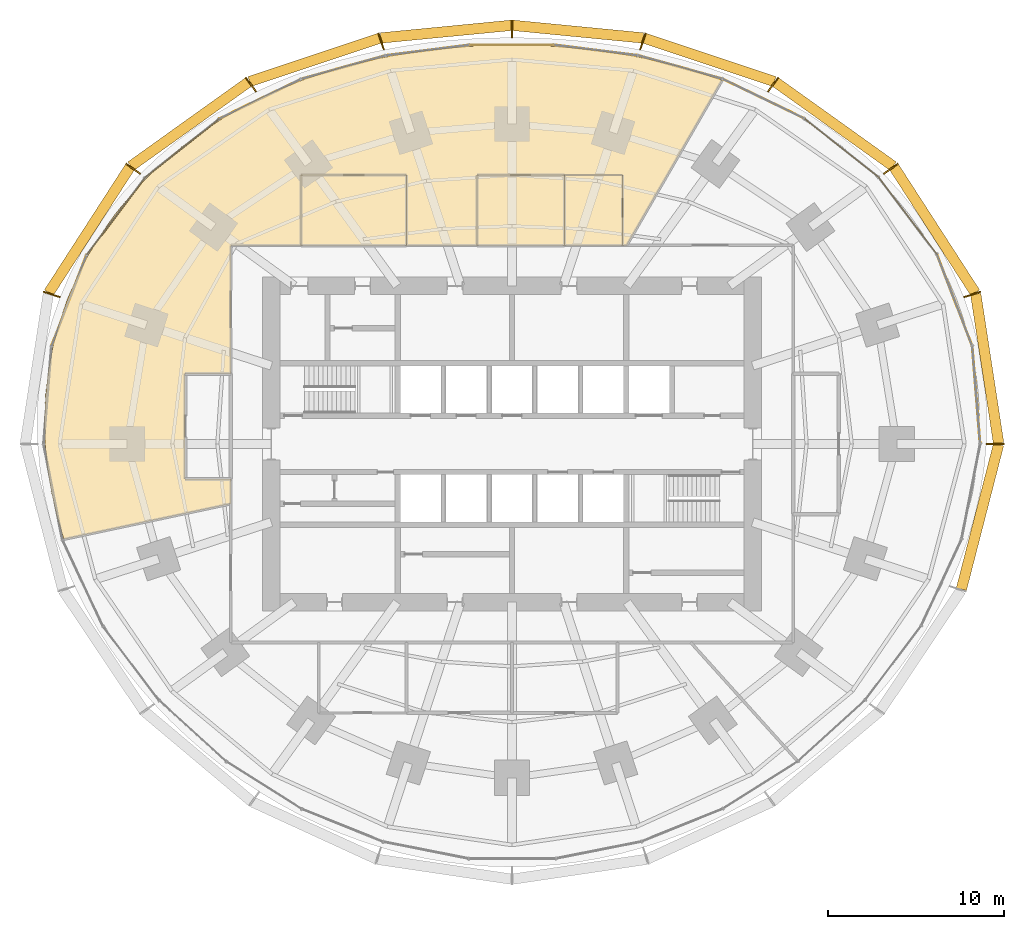
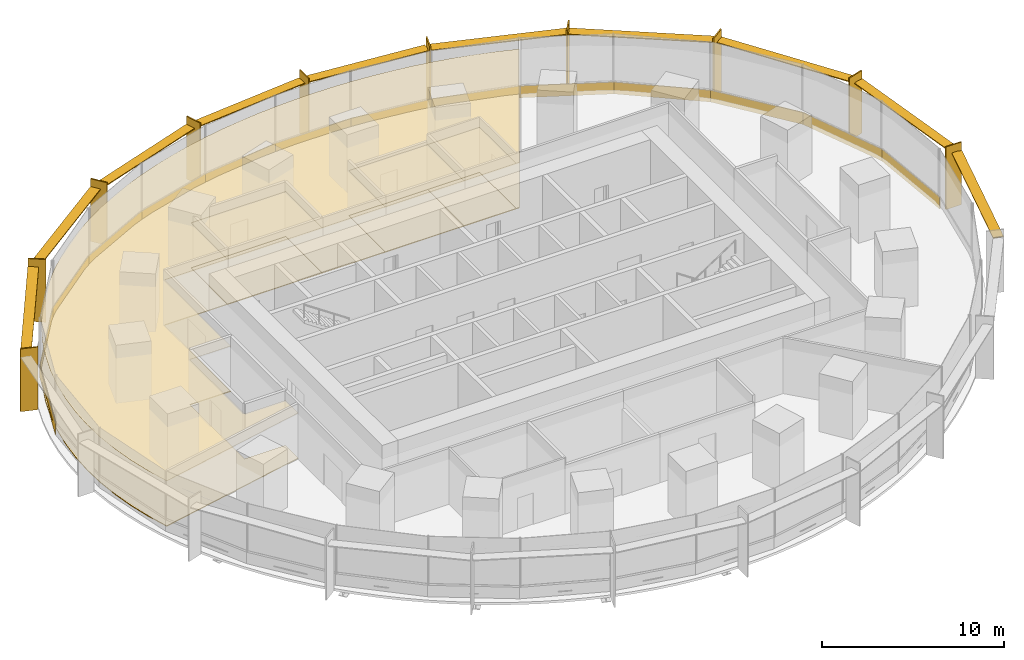
# One storey, part 15 of 15: 22 coverings, 20 shading devices.
"""IFC4 building model written with IfcOpenShell, lengths in metres."""

from ifc_helpers import new_model, si_unit, direction, frame, origin, origin_2d, place, context, subcontext, project, spatial, polyline, rectangle, outline, extrude, material, layer, layer_set, type_object, element, save


model = new_model("IFC4")

# Units and contexts
model_context = context("Model", 3, precision=1e-05, world=origin(), true_north=direction((0.0, 1.0)))
body_context = subcontext(model_context, "Body", "Model", "MODEL_VIEW")
ifc_project = project(units=[si_unit("LENGTHUNIT", "METRE"), si_unit("AREAUNIT", "SQUARE_METRE"), si_unit("VOLUMEUNIT", "CUBIC_METRE"), si_unit("PLANEANGLEUNIT", "RADIAN"), si_unit("MASSUNIT", "GRAM", prefix="KILO")], contexts=[model_context])

# Site, building, storey
site_placement = place(None, origin())
site = spatial("IfcSite", under=ifc_project, at=site_placement, CompositionType="ELEMENT")
building_placement = place(site_placement, origin())
building = spatial("IfcBuilding", under=site, at=building_placement, Name="Marramba Exchange Tower", CompositionType="ELEMENT")
storey_placement = place(building_placement, frame((0.0, 0.0, 49.0)))
storey = spatial("IfcBuildingStorey", under=building, at=storey_placement, Name="L11", CompositionType="ELEMENT", Elevation=49.0)

# Shading devices
ifc_material_1 = material(Name="Aluminium blade, timber-look bronze finish", Category="wood")
ifc_layer_1 = layer(ifc_material_1, 0.080078125)
ifc_layer_set_1 = layer_set([ifc_layer_1], Name="Floor-edge blade 1000x80")
shading_device_type_1 = type_object("IfcShadingDeviceType", Name="Floor-edge blade 1000x80", PredefinedType="USERDEFINED", material=ifc_layer_set_1)
for number, where, z_axis, x_axis, name in (
    (1, (27.5, 0.0, -0.16015625), (0.0, 0.0, 1.0), (1.0, 0.0, 0.0), "Floor-edge blade FB1 L11 TC01"),
    (2, (26.193115234375, 8.5107421875, -0.16015625), (0.0, 0.0, 1.0), (0.951056516295, 0.309016994375, 0.0), "Floor-edge blade FB1 L11 TC02"),
    (3, (21.56298828125, 15.66650390625, -0.16015625), (0.0, 0.0, 1.0), (0.809016994375, 0.587785252292, 0.0), "Floor-edge blade FB1 L11 TC03"),
    (4, (14.857666015625, 20.449951171875, -0.16015625), (0.0, 0.0, 1.0), (0.587785252292, 0.809016994375, 0.0), "Floor-edge blade FB1 L11 TC04"),
    (5, (7.444091796875, 22.910888671875, -0.16015625), (0.0, 0.0, 1.0), (0.309016994375, 0.951056516295, 0.0), "Floor-edge blade FB1 L11 TC05"),
    (6, (0.0, 23.6279296875, -0.16015625), (0.0, 0.0, 1.0), (0.0, 1.0, 0.0), "Floor-edge blade FB1 L11 TC06"),
    (7, (-7.444091796875, 22.910888671875, -0.16015625), (0.0, 0.0, 1.0), (-0.309016994375, 0.951056516295, 0.0), "Floor-edge blade FB1 L11 TC07"),
    (8, (-14.857666015625, 20.449951171875, -0.16015625), (0.0, 0.0, 1.0), (-0.587785252292, 0.809016994375, 0.0), "Floor-edge blade FB1 L11 TC08"),
    (9, (-21.56298828125, 15.66650390625, -0.16015625), (0.0, 0.0, 1.0), (-0.809016994375, 0.587785252292, 0.0), "Floor-edge blade FB1 L11 TC09"),
    (10, (-26.193115234375, 8.5107421875, -0.16015625), (0.0, 0.0, 1.0), (-0.951056516295, 0.309016994375, 0.0), "Floor-edge blade FB1 L11 TC10"),
):
    element("IfcShadingDevice", number, at=place(storey_placement, frame(where, z_axis=z_axis, x_axis=x_axis)), inside=storey, type_object=shading_device_type_1, Name=name, ObjectType="FIN", PredefinedType="USERDEFINED", context=body_context, shape_type="SweptSolid", body=[
        extrude(rectangle(XDim=1.0, YDim=0.080078125, at=origin_2d()), origin(), (0.0, 0.0, 1.0), 4.199951171875),
    ])

# Coverings
ifc_material_2 = material(Name="Steel raised access floor panels", Category="steel")
ifc_layer_2 = layer(ifc_material_2, 0.050048828125)
ifc_layer_set_2 = layer_set([ifc_layer_2], Name="Raised access floor 300")
covering_type_1 = type_object("IfcCoveringType", Name="Raised access floor 300", PredefinedType="FLOORING", material=ifc_layer_set_2)
covering_1_placement = place(storey_placement, frame((0.0, 0.0, 0.25)))
element("IfcCovering", 11, at=covering_1_placement, inside=storey, type_object=covering_type_1, Name="Raised access floor RAF1 L11 Trading Floor 2", PredefinedType="FLOORING", context=body_context, shape_type="SweptSolid", body=[
    extrude(outline(polyline([(-16.0, 4.0), (-18.60009765625, 4.0), (-18.60009765625, -2.0), (-16.0, -2.0), (-16.0, -3.40087890625), (-25.50634765625, -5.421630859375), (-25.9013671875, -4.102294921875), (-26.213623046875, -2.755126953125), (-26.43798828125, -1.385498046875), (-26.570068359375, 0.0), (-26.6064453125, 1.394287109375), (-26.544921875, 2.7900390625), (-26.3837890625, 4.1787109375), (-26.123291015625, 5.552734375), (-25.763916015625, 6.9033203125), (-25.30859375, 8.22314453125), (-24.76025390625, 9.50439453125), (-24.12353515625, 10.740478515625), (-23.40380859375, 11.9248046875), (-22.607177734375, 13.05224609375), (-21.740478515625, 14.118408203125), (-20.810791015625, 15.119873046875), (-19.8251953125, 16.05419921875), (-18.791259765625, 16.919677734375), (-17.71630859375, 17.71630859375), (-16.60693359375, 18.44384765625), (-15.4697265625, 19.103759765625), (-14.31103515625, 19.697509765625), (-13.135986328125, 20.2275390625), (-11.94921875, 20.69677734375), (-10.755126953125, 21.10791015625), (-9.556640625, 21.464599609375), (-8.356689453125, 21.76953125), (-7.15673828125, 22.0263671875), (-5.95849609375, 22.23779296875), (-4.7626953125, 22.406982421875), (-3.5693359375, 22.535888671875), (-2.378173828125, 22.62646484375), (-1.188720703125, 22.68017578125), (0.0, 22.697998046875), (1.188720703125, 22.68017578125), (2.378173828125, 22.62646484375), (3.5693359375, 22.535888671875), (4.7626953125, 22.406982421875), (5.95849609375, 22.23779296875), (7.15673828125, 22.0263671875), (8.356689453125, 21.76953125), (9.556640625, 21.464599609375), (10.755126953125, 21.10791015625), (11.94921875, 20.69677734375), (11.58154296875, 20.059814453125), (6.524169921875, 11.300048828125), (6.300048828125, 11.300048828125), (6.300048828125, 15.300048828125), (3.0, 15.300048828125), (-2.0, 15.300048828125), (-2.0, 11.300048828125), (-6.0, 11.300048828125), (-6.0, 15.300048828125), (-12.0, 15.300048828125), (-12.0, 11.300048828125), (-16.0, 11.300048828125), (-16.0, 4.0)])), origin(), (0.0, 0.0, 1.0), 0.050048828125),
])
covering_2_placement = place(storey_placement, frame((0.0, 0.0, 0.25)))
element("IfcCovering", 12, at=covering_2_placement, inside=storey, type_object=covering_type_1, Name="Raised access floor RAF1 L11 Meeting Room 1", PredefinedType="FLOORING", context=body_context, shape_type="SweptSolid", body=[
    extrude(outline(polyline([(3.0, 11.300048828125), (-2.0, 11.300048828125), (-2.0, 15.300048828125), (3.0, 15.300048828125), (3.0, 11.300048828125)])), origin(), (0.0, 0.0, 1.0), 0.050048828125),
])
covering_3_placement = place(storey_placement, frame((0.0, 0.0, 0.25)))
element("IfcCovering", 13, at=covering_3_placement, inside=storey, type_object=covering_type_1, Name="Raised access floor RAF1 L11 Pantry 1", PredefinedType="FLOORING", context=body_context, shape_type="SweptSolid", body=[
    extrude(outline(polyline([(6.300048828125, 11.300048828125), (3.0, 11.300048828125), (3.0, 15.300048828125), (6.300048828125, 15.300048828125), (6.300048828125, 11.300048828125)])), origin(), (0.0, 0.0, 1.0), 0.050048828125),
])
covering_4_placement = place(storey_placement, frame((0.0, 0.0, 0.25)))
element("IfcCovering", 14, at=covering_4_placement, inside=storey, type_object=covering_type_1, Name="Raised access floor RAF1 L11 Meeting Room 2", PredefinedType="FLOORING", context=body_context, shape_type="SweptSolid", body=[
    extrude(outline(polyline([(-6.0, 11.300048828125), (-12.0, 11.300048828125), (-12.0, 15.300048828125), (-6.0, 15.300048828125), (-6.0, 11.300048828125)])), origin(), (0.0, 0.0, 1.0), 0.050048828125),
])

# Shading devices
ifc_material_3 = material(Name="Aluminium sunshade, bronze anodised", Category="aluminium")
ifc_layer_3 = layer(ifc_material_3, 0.06005859375)
ifc_layer_set_3 = layer_set([ifc_layer_3], Name="SUNSHADE blade 600x60")
shading_device_type_2 = type_object("IfcShadingDeviceType", Name="SUNSHADE blade 600x60", PredefinedType="USERDEFINED", material=ifc_layer_set_3)
shading_device_1_placement = place(storey_placement, frame((27.04150390625, 4.2861328125, 3.4599609375), z_axis=(0.0, 0.0, 1.0), x_axis=(-0.151825486228, 0.988407315701, 0.0)))
element("IfcShadingDevice", 15, at=shading_device_1_placement, inside=storey, type_object=shading_device_type_2, Name="Sunshade SS1 L11 bay 01", ObjectType="SUNSHADE", PredefinedType="USERDEFINED", context=body_context, shape_type="SweptSolid", body=[
    extrude(rectangle(XDim=8.593017578125, YDim=0.60009765625, at=origin_2d()), origin(), (0.0, 0.0, 1.0), 0.06005859375),
])
shading_device_2_placement = place(storey_placement, frame((24.053955078125, 12.17822265625, 3.4599609375), z_axis=(0.0, 0.0, 1.0), x_axis=(-0.542596596948, 0.839993412462, 0.0)))
element("IfcShadingDevice", 16, at=shading_device_2_placement, inside=storey, type_object=shading_device_type_2, Name="Sunshade SS1 L11 bay 02", ObjectType="SUNSHADE", PredefinedType="USERDEFINED", context=body_context, shape_type="SweptSolid", body=[
    extrude(rectangle(XDim=8.50537109375, YDim=0.60009765625, at=origin_2d()), origin(), (0.0, 0.0, 1.0), 0.06005859375),
])
shading_device_3_placement = place(storey_placement, frame((18.35009765625, 18.19775390625, 3.4599609375), z_axis=(0.0, 0.0, 1.0), x_axis=(-0.813362978246, 0.581756534659, 0.0)))
element("IfcShadingDevice", 17, at=shading_device_3_placement, inside=storey, type_object=shading_device_type_2, Name="Sunshade SS1 L11 bay 03", ObjectType="SUNSHADE", PredefinedType="USERDEFINED", context=body_context, shape_type="SweptSolid", body=[
    extrude(rectangle(XDim=8.218505859375, YDim=0.60009765625, at=origin_2d()), origin(), (0.0, 0.0, 1.0), 0.06005859375),
])
shading_device_4_placement = place(storey_placement, frame((11.24072265625, 21.8564453125, 3.4599609375), z_axis=(0.0, 0.0, 1.0), x_axis=(-0.948697789537, 0.316184288235, 0.0)))
element("IfcShadingDevice", 18, at=shading_device_4_placement, inside=storey, type_object=shading_device_type_2, Name="Sunshade SS1 L11 bay 04", ObjectType="SUNSHADE", PredefinedType="USERDEFINED", context=body_context, shape_type="SweptSolid", body=[
    extrude(rectangle(XDim=7.793212890625, YDim=0.60009765625, at=origin_2d()), origin(), (0.0, 0.0, 1.0), 0.06005859375),
])
for number, where, z_axis, x_axis, name in (
    (19, (3.7529296875, 23.464599609375, 3.4599609375), (0.0, 0.0, 1.0), (-0.995342876176, 0.096397919302, 0.0), "Sunshade SS1 L11 bay 05"),
    (20, (-3.7529296875, 23.464599609375, 3.4599609375), (0.0, 0.0, 1.0), (-0.995342876176, -0.096397919302, 0.0), "Sunshade SS1 L11 bay 06"),
):
    element("IfcShadingDevice", number, at=place(storey_placement, frame(where, z_axis=z_axis, x_axis=x_axis)), inside=storey, type_object=shading_device_type_2, Name=name, ObjectType="SUNSHADE", PredefinedType="USERDEFINED", context=body_context, shape_type="SweptSolid", body=[
        extrude(rectangle(XDim=7.461181640625, YDim=0.60009765625, at=origin_2d()), origin(), (0.0, 0.0, 1.0), 0.06005859375),
    ])
shading_device_5_placement = place(storey_placement, frame((-11.24072265625, 21.8564453125, 3.4599609375), z_axis=(0.0, 0.0, 1.0), x_axis=(-0.948697789537, -0.316184288235, 0.0)))
element("IfcShadingDevice", 21, at=shading_device_5_placement, inside=storey, type_object=shading_device_type_2, Name="Sunshade SS1 L11 bay 07", ObjectType="SUNSHADE", PredefinedType="USERDEFINED", context=body_context, shape_type="SweptSolid", body=[
    extrude(rectangle(XDim=7.793212890625, YDim=0.60009765625, at=origin_2d()), origin(), (0.0, 0.0, 1.0), 0.06005859375),
])
shading_device_6_placement = place(storey_placement, frame((-18.35009765625, 18.19775390625, 3.4599609375), z_axis=(0.0, 0.0, 1.0), x_axis=(-0.813362978246, -0.581756534659, 0.0)))
element("IfcShadingDevice", 22, at=shading_device_6_placement, inside=storey, type_object=shading_device_type_2, Name="Sunshade SS1 L11 bay 08", ObjectType="SUNSHADE", PredefinedType="USERDEFINED", context=body_context, shape_type="SweptSolid", body=[
    extrude(rectangle(XDim=8.218505859375, YDim=0.60009765625, at=origin_2d()), origin(), (0.0, 0.0, 1.0), 0.06005859375),
])
shading_device_7_placement = place(storey_placement, frame((-24.053955078125, 12.17822265625, 3.4599609375), z_axis=(0.0, 0.0, 1.0), x_axis=(-0.542596596948, -0.839993412462, 0.0)))
element("IfcShadingDevice", 23, at=shading_device_7_placement, inside=storey, type_object=shading_device_type_2, Name="Sunshade SS1 L11 bay 09", ObjectType="SUNSHADE", PredefinedType="USERDEFINED", context=body_context, shape_type="SweptSolid", body=[
    extrude(rectangle(XDim=8.50537109375, YDim=0.60009765625, at=origin_2d()), origin(), (0.0, 0.0, 1.0), 0.06005859375),
])
shading_device_8_placement = place(storey_placement, frame((26.632080078125, -4.153076171875, 3.4599609375), z_axis=(0.0, 0.0, 1.0), x_axis=(0.249024641331, 0.968497149201, 0.0)))
element("IfcShadingDevice", 24, at=shading_device_8_placement, inside=storey, type_object=shading_device_type_2, Name="Sunshade SS1 L11 bay 20", ObjectType="SUNSHADE", PredefinedType="USERDEFINED", context=body_context, shape_type="SweptSolid", body=[
    extrude(rectangle(XDim=8.49658203125, YDim=0.60009765625, at=origin_2d()), origin(), (0.0, 0.0, 1.0), 0.06005859375),
])

# Coverings
ifc_material_4 = material(Name="Aluminium spandrel panel, bronze anodised, insulated", Category="aluminium")
ifc_layer_4 = layer(ifc_material_4, 0.050048828125)
ifc_layer_set_4 = layer_set([ifc_layer_4], Name="Spandrel panel 800")
covering_type_2 = type_object("IfcCoveringType", Name="Spandrel panel 800", PredefinedType="CLADDING", material=ifc_layer_set_4)
covering_5_placement = place(storey_placement, frame((26.42578125, 2.78466796875, 0.0), z_axis=(0.0, 0.0, 1.0), x_axis=(-0.080275227657, 0.996772736297, 0.0)))
element("IfcCovering", 25, at=covering_5_placement, inside=storey, type_object=covering_type_2, Name="Spandrel panel SP1 L11 F01", PredefinedType="CLADDING", context=body_context, shape_type="SweptSolid", body=[
    extrude(rectangle(XDim=5.58740234375, YDim=0.050048828125, at=origin_2d()), origin(), (0.0, 0.0, 1.0), 0.800048828125),
])
covering_6_placement = place(storey_placement, frame((25.198974609375, 8.171142578125, 0.0), z_axis=(0.0, 0.0, 1.0), x_axis=(-0.359525512701, 0.933135255854, 0.0)))
element("IfcCovering", 26, at=covering_6_placement, inside=storey, type_object=covering_type_2, Name="Spandrel panel SP1 L11 F02", PredefinedType="CLADDING", context=body_context, shape_type="SweptSolid", body=[
    extrude(rectangle(XDim=5.57666015625, YDim=0.050048828125, at=origin_2d()), origin(), (0.0, 0.0, 1.0), 0.800048828125),
])
covering_7_placement = place(storey_placement, frame((22.535888671875, 12.969970703125, 0.0), z_axis=(0.0, 0.0, 1.0), x_axis=(-0.602989761876, 0.797748924834, 0.0)))
element("IfcCovering", 27, at=covering_7_placement, inside=storey, type_object=covering_type_2, Name="Spandrel panel SP1 L11 F03", PredefinedType="CLADDING", context=body_context, shape_type="SweptSolid", body=[
    extrude(rectangle(XDim=5.5078125, YDim=0.050048828125, at=origin_2d()), origin(), (0.0, 0.0, 1.0), 0.800048828125),
])
covering_8_placement = place(storey_placement, frame((18.767822265625, 16.8349609375, 0.0), z_axis=(0.0, 0.0, 1.0), x_axis=(-0.784087946735, 0.620649733574, 0.0)))
element("IfcCovering", 28, at=covering_8_placement, inside=storey, type_object=covering_type_2, Name="Spandrel panel SP1 L11 F04", PredefinedType="CLADDING", context=body_context, shape_type="SweptSolid", body=[
    extrude(rectangle(XDim=5.375732421875, YDim=0.050048828125, at=origin_2d()), origin(), (0.0, 0.0, 1.0), 0.800048828125),
])
covering_9_placement = place(storey_placement, frame((14.324951171875, 19.634765625, 0.0), z_axis=(0.0, 0.0, 1.0), x_axis=(-0.899963432359, 0.435965389012, 0.0)))
element("IfcCovering", 29, at=covering_9_placement, inside=storey, type_object=covering_type_2, Name="Spandrel panel SP1 L11 F05", PredefinedType="CLADDING", context=body_context, shape_type="SweptSolid", body=[
    extrude(rectangle(XDim=5.1904296875, YDim=0.050048828125, at=origin_2d()), origin(), (0.0, 0.0, 1.0), 0.800048828125),
])
covering_10_placement = place(storey_placement, frame((9.58544921875, 21.434326171875, 0.0), z_axis=(0.0, 0.0, 1.0), x_axis=(-0.963472098411, 0.267808729475, 0.0)))
element("IfcCovering", 30, at=covering_10_placement, inside=storey, type_object=covering_type_2, Name="Spandrel panel SP1 L11 F06", PredefinedType="CLADDING", context=body_context, shape_type="SweptSolid", body=[
    extrude(rectangle(XDim=4.989990234375, YDim=0.050048828125, at=origin_2d()), origin(), (0.0, 0.0, 1.0), 0.800048828125),
])
covering_11_placement = place(storey_placement, frame((4.783935546875, 22.404296875, 0.0), z_axis=(0.0, 0.0, 1.0), x_axis=(-0.992172768222, 0.124872727203, 0.0)))
element("IfcCovering", 31, at=covering_11_placement, inside=storey, type_object=covering_type_2, Name="Spandrel panel SP1 L11 F07", PredefinedType="CLADDING", context=body_context, shape_type="SweptSolid", body=[
    extrude(rectangle(XDim=4.832763671875, YDim=0.050048828125, at=origin_2d()), origin(), (0.0, 0.0, 1.0), 0.800048828125),
])
covering_12_placement = place(storey_placement, frame((0.0, 22.7060546875, 0.0), z_axis=(0.0, 0.0, 1.0), x_axis=(-1.0, 0.0, 0.0)))
element("IfcCovering", 32, at=covering_12_placement, inside=storey, type_object=covering_type_2, Name="Spandrel panel SP1 L11 F08", PredefinedType="CLADDING", context=body_context, shape_type="SweptSolid", body=[
    extrude(rectangle(XDim=4.77294921875, YDim=0.050048828125, at=origin_2d()), origin(), (0.0, 0.0, 1.0), 0.800048828125),
])
covering_13_placement = place(storey_placement, frame((-4.783935546875, 22.404296875, 0.0), z_axis=(0.0, 0.0, 1.0), x_axis=(-0.992172768222, -0.124872727203, 0.0)))
element("IfcCovering", 33, at=covering_13_placement, inside=storey, type_object=covering_type_2, Name="Spandrel panel SP1 L11 F09", PredefinedType="CLADDING", context=body_context, shape_type="SweptSolid", body=[
    extrude(rectangle(XDim=4.832763671875, YDim=0.050048828125, at=origin_2d()), origin(), (0.0, 0.0, 1.0), 0.800048828125),
])
covering_14_placement = place(storey_placement, frame((-9.58544921875, 21.434326171875, 0.0), z_axis=(0.0, 0.0, 1.0), x_axis=(-0.963472098411, -0.267808729475, 0.0)))
element("IfcCovering", 34, at=covering_14_placement, inside=storey, type_object=covering_type_2, Name="Spandrel panel SP1 L11 F10", PredefinedType="CLADDING", context=body_context, shape_type="SweptSolid", body=[
    extrude(rectangle(XDim=4.989990234375, YDim=0.050048828125, at=origin_2d()), origin(), (0.0, 0.0, 1.0), 0.800048828125),
])
covering_15_placement = place(storey_placement, frame((-14.324951171875, 19.634765625, 0.0), z_axis=(0.0, 0.0, 1.0), x_axis=(-0.899963432359, -0.435965389012, 0.0)))
element("IfcCovering", 35, at=covering_15_placement, inside=storey, type_object=covering_type_2, Name="Spandrel panel SP1 L11 F11", PredefinedType="CLADDING", context=body_context, shape_type="SweptSolid", body=[
    extrude(rectangle(XDim=5.1904296875, YDim=0.050048828125, at=origin_2d()), origin(), (0.0, 0.0, 1.0), 0.800048828125),
])
covering_16_placement = place(storey_placement, frame((-18.767822265625, 16.8349609375, 0.0), z_axis=(0.0, 0.0, 1.0), x_axis=(-0.784087946735, -0.620649733574, 0.0)))
element("IfcCovering", 36, at=covering_16_placement, inside=storey, type_object=covering_type_2, Name="Spandrel panel SP1 L11 F12", PredefinedType="CLADDING", context=body_context, shape_type="SweptSolid", body=[
    extrude(rectangle(XDim=5.375732421875, YDim=0.050048828125, at=origin_2d()), origin(), (0.0, 0.0, 1.0), 0.800048828125),
])
covering_17_placement = place(storey_placement, frame((-22.535888671875, 12.969970703125, 0.0), z_axis=(0.0, 0.0, 1.0), x_axis=(-0.602989761876, -0.797748924834, 0.0)))
element("IfcCovering", 37, at=covering_17_placement, inside=storey, type_object=covering_type_2, Name="Spandrel panel SP1 L11 F13", PredefinedType="CLADDING", context=body_context, shape_type="SweptSolid", body=[
    extrude(rectangle(XDim=5.5078125, YDim=0.050048828125, at=origin_2d()), origin(), (0.0, 0.0, 1.0), 0.800048828125),
])
covering_18_placement = place(storey_placement, frame((-25.198974609375, 8.171142578125, 0.0), z_axis=(0.0, 0.0, 1.0), x_axis=(-0.359525512701, -0.933135255854, 0.0)))
element("IfcCovering", 38, at=covering_18_placement, inside=storey, type_object=covering_type_2, Name="Spandrel panel SP1 L11 F14", PredefinedType="CLADDING", context=body_context, shape_type="SweptSolid", body=[
    extrude(rectangle(XDim=5.57666015625, YDim=0.050048828125, at=origin_2d()), origin(), (0.0, 0.0, 1.0), 0.800048828125),
])
ifc_material_5 = material(Name="Mineral fibre ceiling tiles", Category="gypsum")
ifc_layer_5 = layer(ifc_material_5, 0.02001953125)
ifc_layer_set_5 = layer_set([ifc_layer_5], Name="Suspended ceiling 20")
covering_type_3 = type_object("IfcCoveringType", Name="Suspended ceiling 20", PredefinedType="CEILING", material=ifc_layer_set_5)
covering_19_placement = place(storey_placement, frame((0.0, 0.0, 3.300048828125)))
element("IfcCovering", 39, at=covering_19_placement, inside=storey, type_object=covering_type_3, Name="Ceiling CL1 L11 Trading Floor 2", PredefinedType="CEILING", context=body_context, shape_type="SweptSolid", body=[
    extrude(outline(polyline([(-16.0, 4.0), (-18.60009765625, 4.0), (-18.60009765625, -2.0), (-16.0, -2.0), (-16.0, -3.40087890625), (-25.50634765625, -5.421630859375), (-25.9013671875, -4.102294921875), (-26.213623046875, -2.755126953125), (-26.43798828125, -1.385498046875), (-26.570068359375, 0.0), (-26.6064453125, 1.394287109375), (-26.544921875, 2.7900390625), (-26.3837890625, 4.1787109375), (-26.123291015625, 5.552734375), (-25.763916015625, 6.9033203125), (-25.30859375, 8.22314453125), (-24.76025390625, 9.50439453125), (-24.12353515625, 10.740478515625), (-23.40380859375, 11.9248046875), (-22.607177734375, 13.05224609375), (-21.740478515625, 14.118408203125), (-20.810791015625, 15.119873046875), (-19.8251953125, 16.05419921875), (-18.791259765625, 16.919677734375), (-17.71630859375, 17.71630859375), (-16.60693359375, 18.44384765625), (-15.4697265625, 19.103759765625), (-14.31103515625, 19.697509765625), (-13.135986328125, 20.2275390625), (-11.94921875, 20.69677734375), (-10.755126953125, 21.10791015625), (-9.556640625, 21.464599609375), (-8.356689453125, 21.76953125), (-7.15673828125, 22.0263671875), (-5.95849609375, 22.23779296875), (-4.7626953125, 22.406982421875), (-3.5693359375, 22.535888671875), (-2.378173828125, 22.62646484375), (-1.188720703125, 22.68017578125), (0.0, 22.697998046875), (1.188720703125, 22.68017578125), (2.378173828125, 22.62646484375), (3.5693359375, 22.535888671875), (4.7626953125, 22.406982421875), (5.95849609375, 22.23779296875), (7.15673828125, 22.0263671875), (8.356689453125, 21.76953125), (9.556640625, 21.464599609375), (10.755126953125, 21.10791015625), (11.94921875, 20.69677734375), (11.58154296875, 20.059814453125), (6.524169921875, 11.300048828125), (6.300048828125, 11.300048828125), (6.300048828125, 15.300048828125), (3.0, 15.300048828125), (-2.0, 15.300048828125), (-2.0, 11.300048828125), (-6.0, 11.300048828125), (-6.0, 15.300048828125), (-12.0, 15.300048828125), (-12.0, 11.300048828125), (-16.0, 11.300048828125), (-16.0, 4.0)])), origin(), (0.0, 0.0, 1.0), 0.02001953125),
])
covering_20_placement = place(storey_placement, frame((0.0, 0.0, 3.300048828125)))
element("IfcCovering", 40, at=covering_20_placement, inside=storey, type_object=covering_type_3, Name="Ceiling CL1 L11 Meeting Room 1", PredefinedType="CEILING", context=body_context, shape_type="SweptSolid", body=[
    extrude(outline(polyline([(3.0, 11.300048828125), (-2.0, 11.300048828125), (-2.0, 15.300048828125), (3.0, 15.300048828125), (3.0, 11.300048828125)])), origin(), (0.0, 0.0, 1.0), 0.02001953125),
])
covering_21_placement = place(storey_placement, frame((0.0, 0.0, 3.300048828125)))
element("IfcCovering", 41, at=covering_21_placement, inside=storey, type_object=covering_type_3, Name="Ceiling CL1 L11 Pantry 1", PredefinedType="CEILING", context=body_context, shape_type="SweptSolid", body=[
    extrude(outline(polyline([(6.300048828125, 11.300048828125), (3.0, 11.300048828125), (3.0, 15.300048828125), (6.300048828125, 15.300048828125), (6.300048828125, 11.300048828125)])), origin(), (0.0, 0.0, 1.0), 0.02001953125),
])
covering_22_placement = place(storey_placement, frame((0.0, 0.0, 3.300048828125)))
element("IfcCovering", 42, at=covering_22_placement, inside=storey, type_object=covering_type_3, Name="Ceiling CL1 L11 Meeting Room 2", PredefinedType="CEILING", context=body_context, shape_type="SweptSolid", body=[
    extrude(outline(polyline([(-6.0, 11.300048828125), (-12.0, 11.300048828125), (-12.0, 15.300048828125), (-6.0, 15.300048828125), (-6.0, 11.300048828125)])), origin(), (0.0, 0.0, 1.0), 0.02001953125),
])

save(model, "model.ifc")
